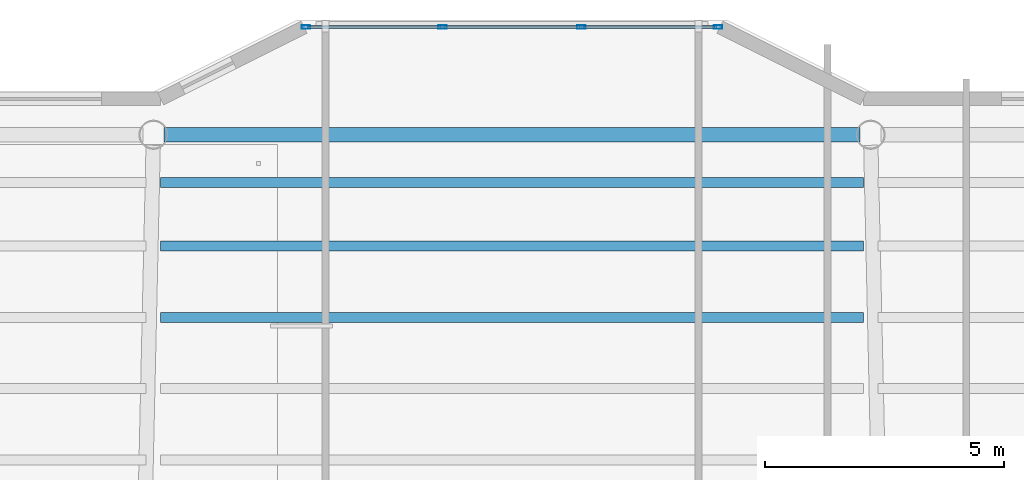
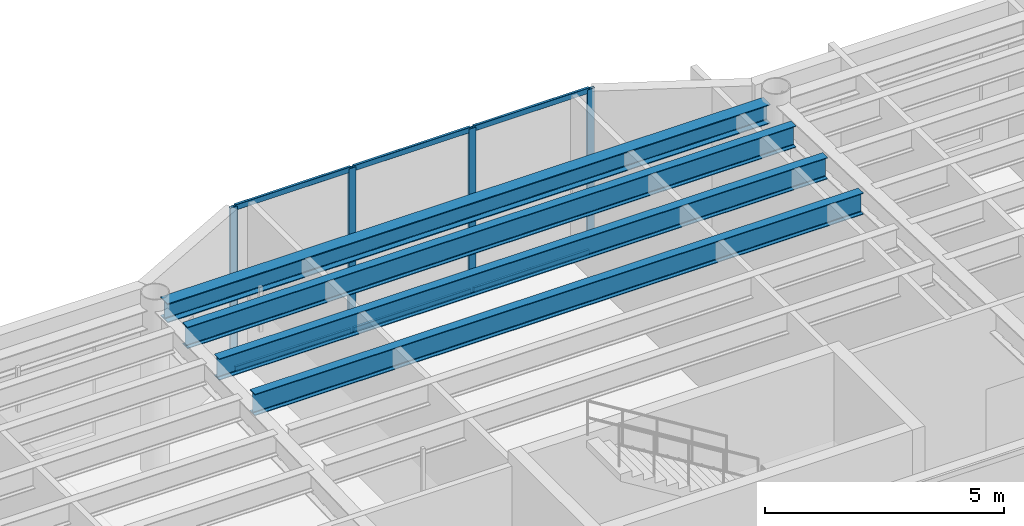
# One storey, part 23 of 38: 10 members, 4 beams, 1 element without a shape of its own.
"""IFC4 building model written with IfcOpenShell, lengths in metres."""

from ifc_helpers import new_model, si_unit, direction, frame, origin, origin_2d, place, context, subcontext, project, spatial, hollow_rectangle, i_section, extrude, material, layer, layer_set, material_profile, profile_set, type_object, element, aggregate, save


model = new_model("IFC4")

# Units and contexts
model_context = context("Model", 3, precision=1e-05, world=origin(), true_north=direction((0.0, 1.0)))
body_context = subcontext(model_context, "Body", "Model", "MODEL_VIEW")
ifc_project = project(units=[si_unit("LENGTHUNIT", "METRE"), si_unit("AREAUNIT", "SQUARE_METRE"), si_unit("VOLUMEUNIT", "CUBIC_METRE"), si_unit("PLANEANGLEUNIT", "RADIAN"), si_unit("MASSUNIT", "GRAM", prefix="KILO")], contexts=[model_context])

# Site, building, storey
site_placement = place(None, origin())
site = spatial("IfcSite", under=ifc_project, at=site_placement, CompositionType="ELEMENT")
building_placement = place(site_placement, origin())
building = spatial("IfcBuilding", under=site, at=building_placement, Name="Tarnavaz Court Tower", CompositionType="ELEMENT")
storey_placement = place(building_placement, frame((0.0, 0.0, 123.0)))
storey = spatial("IfcBuildingStorey", under=building, at=storey_placement, Name="L33", CompositionType="ELEMENT", Elevation=123.0)

# Beams
ifc_material_1 = material(Name="Steel S355", Category="steel")
ifc_material_profile_1 = material_profile(ifc_material_1, i_section(OverallWidth=0.2099609375, OverallDepth=0.550048828125, WebThickness=0.010986328125, FlangeThickness=0.01708984375, FilletRadius=0.02392578125, at=origin_2d()), Name="IPE 550")
ifc_profile_set_1 = profile_set([ifc_material_profile_1], Name="Steel S355")
beam_type_1 = type_object("IfcBeamType", Name="BM-J-IPE550", PredefinedType="JOIST", material=ifc_profile_set_1)
for number, where, z_axis, x_axis, name in (
    (1, (-7.35009765625, 17.48193359375, 3.925048828125), (1.0, 0.0, 0.0), (0.0, 1.0, 0.0), "L33 Beam JN3-2"),
    (2, (-7.35009765625, 18.97607421875, 3.925048828125), (1.0, 0.0, 0.0), (0.0, 1.0, 0.0), "L33 Beam JN4-2"),
    (3, (-7.35009765625, 20.303955078125, 3.925048828125), (1.0, 0.0, 0.0), (0.0, 1.0, 0.0), "L33 Beam JN5-2"),
):
    element("IfcBeam", number, at=place(storey_placement, frame(where, z_axis=z_axis, x_axis=x_axis)), inside=storey, type_object=beam_type_1, Name=name, PredefinedType="JOIST", context=body_context, shape_type="SweptSolid", body=[
        extrude(i_section(OverallWidth=0.2099609375, OverallDepth=0.550048828125, WebThickness=0.010986328125, FlangeThickness=0.01708984375, FilletRadius=0.02392578125, at=origin_2d()), origin(), (0.0, 0.0, 1.0), 14.7001953125),
    ])
ifc_material_profile_2 = material_profile(ifc_material_1, i_section(OverallWidth=0.300048828125, OverallDepth=0.489990234375, WebThickness=0.011962890625, FlangeThickness=0.02294921875, FilletRadius=0.027099609375, at=origin_2d()), Name="HEA 500")
ifc_profile_set_2 = profile_set([ifc_material_profile_2], Name="Steel S355")
beam_type_2 = type_object("IfcBeamType", Name="BM-SP-HEA500", PredefinedType="SPANDREL", material=ifc_profile_set_2)
beam_placement = place(storey_placement, frame((-7.280029296875, 21.300048828125, 3.955078125), z_axis=(1.0, 0.0, 0.0), x_axis=(0.0, 1.0, 0.0)))
element("IfcBeam", 4, at=beam_placement, inside=storey, type_object=beam_type_2, Name="L33 Beam PR-PN-2-PN-3", PredefinedType="SPANDREL", context=body_context, shape_type="SweptSolid", body=[
    extrude(i_section(OverallWidth=0.300048828125, OverallDepth=0.489990234375, WebThickness=0.011962890625, FlangeThickness=0.02294921875, FilletRadius=0.027099609375, at=origin_2d()), origin(), (0.0, 0.0, 1.0), 14.56005859375),
])

# Curtain wall, members
ifc_material_2 = material(Name="Anodised Aluminium 6063-T6 and Solar Low-E Glazing", Category="aluminium")
ifc_layer = layer(ifc_material_2, 0.179931640625)
ifc_layer_set = layer_set([ifc_layer], Name="Anodised Aluminium 6063-T6 and Solar Low-E Glazing")
curtain_wall_type = type_object("IfcCurtainWallType", Name="CW-SYS-02", PredefinedType="NOTDEFINED", material=ifc_layer_set)
curtain_wall_placement = place(storey_placement, origin())
curtain_wall = element("IfcCurtainWall", 5, at=curtain_wall_placement, inside=storey, type_object=curtain_wall_type, Name="L33 Iwan Prow Curtain Wall 7", PredefinedType="NOTDEFINED")
ifc_material_3 = material(Name="Anodised Aluminium 6063-T6", Category="aluminium")
ifc_material_profile_3 = material_profile(ifc_material_3, hollow_rectangle(XDim=0.074951171875, YDim=0.179931640625, WallThickness=0.0048828125, InnerFilletRadius=0.0048828125, OuterFilletRadius=0.010009765625, at=origin_2d()), Name="ALU RHS 180X75X5")
ifc_profile_set_3 = profile_set([ifc_material_profile_3], Name="Anodised Aluminium 6063-T6")
member_type_1 = type_object("IfcMemberType", Name="CW-MUL-180", PredefinedType="MULLION", material=ifc_profile_set_3)
member_1_placement = place(storey_placement, frame((-4.3125, 23.550048828125, 0.0), z_axis=(0.0, 0.0, 1.0), x_axis=(0.0, 1.0, 0.0)))
member_1 = element("IfcMember", 6, at=member_1_placement, type_object=member_type_1, Name="CW mullion 1", PredefinedType="MULLION", context=body_context, shape_type="SweptSolid", body=[
    extrude(hollow_rectangle(XDim=0.074951171875, YDim=0.179931640625, WallThickness=0.0048828125, InnerFilletRadius=0.0048828125, OuterFilletRadius=0.010009765625, at=origin_2d()), origin(), (0.0, 0.0, 1.0), 4.199951171875),
])
member_2_placement = place(storey_placement, frame((-1.449951171875, 23.550048828125, 0.0), z_axis=(0.0, 0.0, 1.0), x_axis=(0.0, 1.0, 0.0)))
member_2 = element("IfcMember", 7, at=member_2_placement, type_object=member_type_1, Name="CW mullion 2", PredefinedType="MULLION", context=body_context, shape_type="SweptSolid", body=[
    extrude(hollow_rectangle(XDim=0.074951171875, YDim=0.179931640625, WallThickness=0.0048828125, InnerFilletRadius=0.0048828125, OuterFilletRadius=0.010009765625, at=origin_2d()), origin(), (0.0, 0.0, 1.0), 4.199951171875),
])
member_3_placement = place(storey_placement, frame((1.449951171875, 23.550048828125, 0.0), z_axis=(0.0, 0.0, 1.0), x_axis=(0.0, 1.0, 0.0)))
member_3 = element("IfcMember", 8, at=member_3_placement, type_object=member_type_1, Name="CW mullion 3", PredefinedType="MULLION", context=body_context, shape_type="SweptSolid", body=[
    extrude(hollow_rectangle(XDim=0.074951171875, YDim=0.179931640625, WallThickness=0.0048828125, InnerFilletRadius=0.0048828125, OuterFilletRadius=0.010009765625, at=origin_2d()), origin(), (0.0, 0.0, 1.0), 4.199951171875),
])
member_4_placement = place(storey_placement, frame((4.3125, 23.550048828125, 0.0), z_axis=(0.0, 0.0, 1.0), x_axis=(0.0, 1.0, 0.0)))
member_4 = element("IfcMember", 9, at=member_4_placement, type_object=member_type_1, Name="CW mullion 4", PredefinedType="MULLION", context=body_context, shape_type="SweptSolid", body=[
    extrude(hollow_rectangle(XDim=0.074951171875, YDim=0.179931640625, WallThickness=0.0048828125, InnerFilletRadius=0.0048828125, OuterFilletRadius=0.010009765625, at=origin_2d()), origin(), (0.0, 0.0, 1.0), 4.199951171875),
])
ifc_material_profile_4 = material_profile(ifc_material_3, hollow_rectangle(XDim=0.06494140625, YDim=0.139892578125, WallThickness=0.00390625, InnerFilletRadius=0.00390625, OuterFilletRadius=0.008056640625, at=origin_2d()), Name="ALU RHS 140X65X4")
ifc_profile_set_4 = profile_set([ifc_material_profile_4], Name="Anodised Aluminium 6063-T6")
member_type_2 = type_object("IfcMemberType", Name="CW-TRN-140", PredefinedType="USERDEFINED", material=ifc_profile_set_4)
member_5_placement = place(storey_placement, frame((-4.27490234375, 23.550048828125, 0.032470703125), z_axis=(1.0, 0.0, 0.0), x_axis=(0.0, 1.0, 0.0)))
member_5 = element("IfcMember", 10, at=member_5_placement, type_object=member_type_2, Name="CW transom 1.1", ObjectType="TRANSOM", PredefinedType="USERDEFINED", context=body_context, shape_type="SweptSolid", body=[
    extrude(hollow_rectangle(XDim=0.06494140625, YDim=0.139892578125, WallThickness=0.00390625, InnerFilletRadius=0.00390625, OuterFilletRadius=0.008056640625, at=origin_2d()), origin(), (0.0, 0.0, 1.0), 2.787353515625),
])
member_6_placement = place(storey_placement, frame((-4.27490234375, 23.550048828125, 4.16748046875), z_axis=(1.0, 0.0, 0.0), x_axis=(0.0, 1.0, 0.0)))
member_6 = element("IfcMember", 11, at=member_6_placement, type_object=member_type_2, Name="CW transom 1.2", ObjectType="TRANSOM", PredefinedType="USERDEFINED", context=body_context, shape_type="SweptSolid", body=[
    extrude(hollow_rectangle(XDim=0.06494140625, YDim=0.139892578125, WallThickness=0.00390625, InnerFilletRadius=0.00390625, OuterFilletRadius=0.008056640625, at=origin_2d()), origin(), (0.0, 0.0, 1.0), 2.787353515625),
])
member_7_placement = place(storey_placement, frame((-1.41259765625, 23.550048828125, 0.032470703125), z_axis=(1.0, 0.0, 0.0), x_axis=(0.0, 1.0, 0.0)))
member_7 = element("IfcMember", 12, at=member_7_placement, type_object=member_type_2, Name="CW transom 2.1", ObjectType="TRANSOM", PredefinedType="USERDEFINED", context=body_context, shape_type="SweptSolid", body=[
    extrude(hollow_rectangle(XDim=0.06494140625, YDim=0.139892578125, WallThickness=0.00390625, InnerFilletRadius=0.00390625, OuterFilletRadius=0.008056640625, at=origin_2d()), origin(), (0.0, 0.0, 1.0), 2.8251953125),
])
member_8_placement = place(storey_placement, frame((-1.41259765625, 23.550048828125, 4.16748046875), z_axis=(1.0, 0.0, 0.0), x_axis=(0.0, 1.0, 0.0)))
member_8 = element("IfcMember", 13, at=member_8_placement, type_object=member_type_2, Name="CW transom 2.2", ObjectType="TRANSOM", PredefinedType="USERDEFINED", context=body_context, shape_type="SweptSolid", body=[
    extrude(hollow_rectangle(XDim=0.06494140625, YDim=0.139892578125, WallThickness=0.00390625, InnerFilletRadius=0.00390625, OuterFilletRadius=0.008056640625, at=origin_2d()), origin(), (0.0, 0.0, 1.0), 2.8251953125),
])
member_9_placement = place(storey_placement, frame((1.487548828125, 23.550048828125, 0.032470703125), z_axis=(1.0, 0.0, 0.0), x_axis=(0.0, 1.0, 0.0)))
member_9 = element("IfcMember", 14, at=member_9_placement, type_object=member_type_2, Name="CW transom 3.1", ObjectType="TRANSOM", PredefinedType="USERDEFINED", context=body_context, shape_type="SweptSolid", body=[
    extrude(hollow_rectangle(XDim=0.06494140625, YDim=0.139892578125, WallThickness=0.00390625, InnerFilletRadius=0.00390625, OuterFilletRadius=0.008056640625, at=origin_2d()), origin(), (0.0, 0.0, 1.0), 2.787353515625),
])
member_10_placement = place(storey_placement, frame((1.487548828125, 23.550048828125, 4.16748046875), z_axis=(1.0, 0.0, 0.0), x_axis=(0.0, 1.0, 0.0)))
member_10 = element("IfcMember", 15, at=member_10_placement, type_object=member_type_2, Name="CW transom 3.2", ObjectType="TRANSOM", PredefinedType="USERDEFINED", context=body_context, shape_type="SweptSolid", body=[
    extrude(hollow_rectangle(XDim=0.06494140625, YDim=0.139892578125, WallThickness=0.00390625, InnerFilletRadius=0.00390625, OuterFilletRadius=0.008056640625, at=origin_2d()), origin(), (0.0, 0.0, 1.0), 2.787353515625),
])
aggregate(curtain_wall, [member_1, member_2, member_3, member_4, member_5, member_6, member_7, member_8, member_9, member_10])

save(model, "model.ifc")
